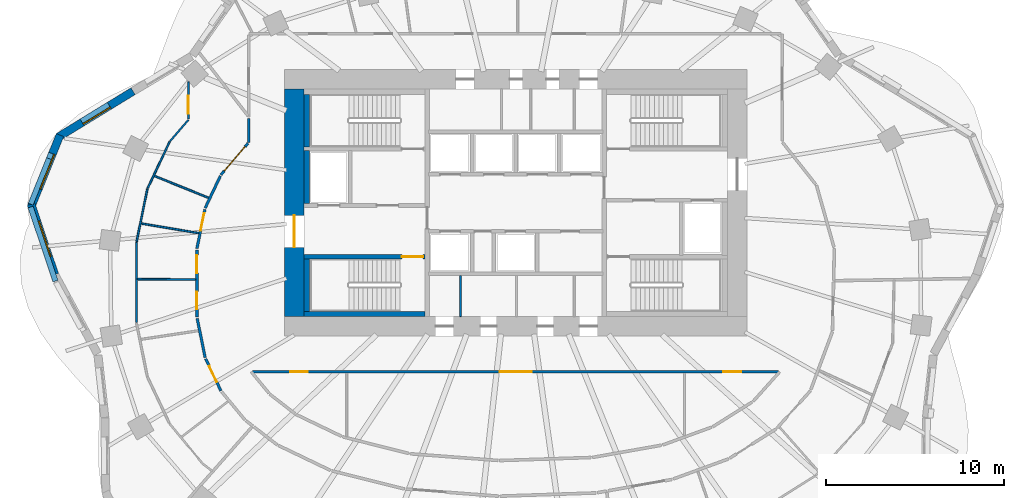
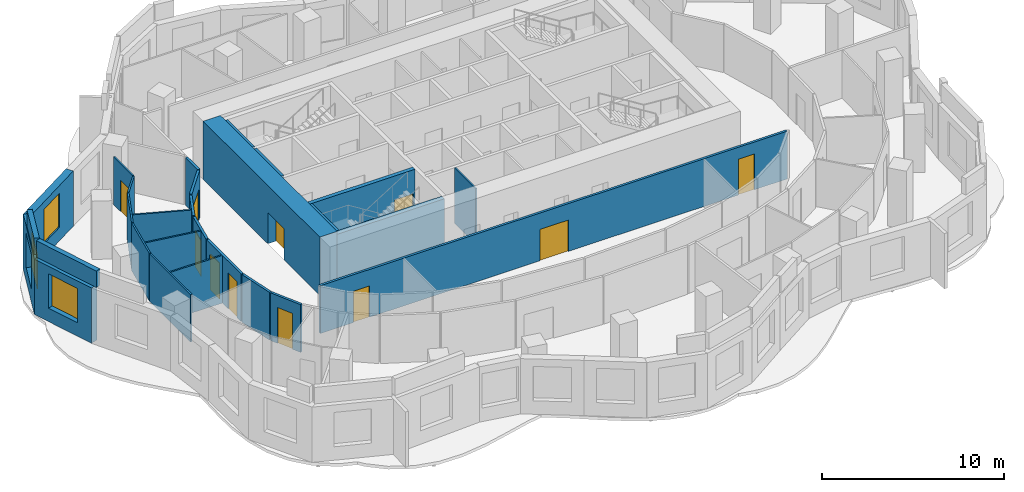
# One storey, part 4 of 10: 28 walls, 11 doors, 3 windows, 14 openings.
"""IFC4 building model written with IfcOpenShell, lengths in metres."""

from ifc_helpers import new_model, si_unit, direction, frame, frame_2d, origin, place, context, subcontext, project, spatial, rectangle, extrude, material, layer, layer_set, type_object, element, fill, save


model = new_model("IFC4")

# Units and contexts
model_context = context("Model", 3, precision=1e-05, world=origin(), true_north=direction((0.0, 1.0)))
body_context = subcontext(model_context, "Body", "Model", "MODEL_VIEW")
ifc_project = project(units=[si_unit("LENGTHUNIT", "METRE"), si_unit("AREAUNIT", "SQUARE_METRE"), si_unit("VOLUMEUNIT", "CUBIC_METRE"), si_unit("PLANEANGLEUNIT", "RADIAN"), si_unit("MASSUNIT", "GRAM", prefix="KILO")], contexts=[model_context])

# Site, building, storey
site_placement = place(None, origin())
site = spatial("IfcSite", under=ifc_project, at=site_placement, CompositionType="ELEMENT")
building_placement = place(site_placement, origin())
building = spatial("IfcBuilding", under=site, at=building_placement, Name="Rubra Terraces Tower", CompositionType="ELEMENT")
storey_placement = place(building_placement, frame((0.0, 0.0, 157.800048828125)))
storey = spatial("IfcBuildingStorey", under=building, at=storey_placement, Name="L38", CompositionType="ELEMENT", Elevation=157.800048828125)

# Wall, opening, window
ifc_material_1 = material(Name="Brick masonry red-brown", Category="masonry")
ifc_layer_1 = layer(ifc_material_1, 0.449951171875)
ifc_layer_set_1 = layer_set([ifc_layer_1], Name="Brick masonry red-brown")
wall_type_1 = type_object("IfcWallType", Name="Brick facade wall 450", PredefinedType="SOLIDWALL", material=ifc_layer_set_1)
wall_1_placement = place(storey_placement, frame((-21.509521484375, 10.77490234375, 0.0), z_axis=(0.0, 0.0, 1.0), x_axis=(-0.852642584462, -0.522494615439, 0.0)))
wall_1 = element("IfcWall", 1, at=wall_1_placement, inside=storey, type_object=wall_type_1, Name="Facade wall L38 bay 18", PredefinedType="SOLIDWALL", context=body_context, shape_type="SweptSolid", body=[
    extrude(rectangle(XDim=4.923583984375, YDim=0.449951171875, at=frame_2d((2.4619140625, 0.0))), origin(), (0.0, 0.0, 1.0), 3.699951171875),
])
opening_1_placement = place(wall_1_placement, frame((1.561767578125, 0.0, 0.89990234375)))
opening_1 = element("IfcOpeningElement", 2, at=opening_1_placement, cuts=wall_1, Name="Opening W6B", PredefinedType="OPENING", context=body_context, shape_type="SweptSolid", body=[
    extrude(rectangle(XDim=1.800048828125, YDim=2.300048828125, at=frame_2d((0.89990234375, 1.14990234375))), frame((0.0, 0.23486328125, 0.0), z_axis=(0.0, -1.0, 0.0), x_axis=(1.0, 0.0, 0.0)), (0.0, 0.0, 1.0), 0.469970703125),
])
ifc_material_2 = material(Name="Clear glass in aluminium frame", Category="aluminium")
window_type_1 = type_object("IfcWindowType", Name="Fixed deep-set window at wind fin tall storey 1800 x 2300", PartitioningType="SINGLE_PANEL", PredefinedType="WINDOW", material=ifc_material_2)
window_1_placement = place(opening_1_placement, origin())
window_1 = element("IfcWindow", 3, at=window_1_placement, inside=storey, type_object=window_type_1, Name="Window L38 bay 18", OverallHeight=2.300048828125, OverallWidth=1.800048828125, PartitioningType="SINGLE_PANEL", PredefinedType="WINDOW", context=body_context, shape_type="SweptSolid", body=[
    extrude(rectangle(XDim=1.800048828125, YDim=2.300048828125, at=frame_2d((0.89990234375, 1.14990234375))), frame((0.0, 0.135009765625, 0.0), z_axis=(0.0, -1.0, 0.0), x_axis=(1.0, 0.0, 0.0)), (0.0, 0.0, 1.0), 0.06005859375),
])
fill(opening_1, window_1)

wall_2_placement = place(storey_placement, frame((-25.620361328125, 8.307861328125, 0.0), z_axis=(0.0, 0.0, 1.0), x_axis=(-0.373899958574, -0.927469040442, 0.0)))
wall_2 = element("IfcWall", 4, at=wall_2_placement, inside=storey, type_object=wall_type_1, Name="Facade wall L38 bay 19", PredefinedType="SOLIDWALL", context=body_context, shape_type="SweptSolid", body=[
    extrude(rectangle(XDim=4.359130859375, YDim=0.449951171875, at=frame_2d((2.1796875, 0.0))), origin(), (0.0, 0.0, 1.0), 3.699951171875),
])
opening_2_placement = place(wall_2_placement, frame((1.129638671875, 0.0, 0.89990234375)))
opening_2 = element("IfcOpeningElement", 5, at=opening_2_placement, cuts=wall_2, Name="Opening W1B", PredefinedType="OPENING", context=body_context, shape_type="SweptSolid", body=[
    extrude(rectangle(XDim=2.10009765625, YDim=2.300048828125, at=frame_2d((1.050048828125, 1.14990234375))), frame((0.0, 0.23486328125, 0.0), z_axis=(0.0, -1.0, 0.0), x_axis=(1.0, 0.0, 0.0)), (0.0, 0.0, 1.0), 0.469970703125),
])
window_type_2 = type_object("IfcWindowType", Name="Fixed deep-set window tall storey 2100 x 2300", PartitioningType="SINGLE_PANEL", PredefinedType="WINDOW", material=ifc_material_2)
window_2_placement = place(opening_2_placement, origin())
window_2 = element("IfcWindow", 6, at=window_2_placement, inside=storey, type_object=window_type_2, Name="Window L38 bay 19", OverallHeight=2.300048828125, OverallWidth=2.10009765625, PartitioningType="SINGLE_PANEL", PredefinedType="WINDOW", context=body_context, shape_type="SweptSolid", body=[
    extrude(rectangle(XDim=2.10009765625, YDim=2.300048828125, at=frame_2d((1.050048828125, 1.14990234375))), frame((0.0, 0.135009765625, 0.0), z_axis=(0.0, -1.0, 0.0), x_axis=(1.0, 0.0, 0.0)), (0.0, 0.0, 1.0), 0.06005859375),
])
fill(opening_2, window_2)

wall_3_placement = place(storey_placement, frame((-27.24560546875, 4.420654296875, 0.0), z_axis=(0.0, 0.0, 1.0), x_axis=(0.318014723139, -0.94808577453, 0.0)))
wall_3 = element("IfcWall", 7, at=wall_3_placement, inside=storey, type_object=wall_type_1, Name="Facade wall L38 bay 20", PredefinedType="SOLIDWALL", context=body_context, shape_type="SweptSolid", body=[
    extrude(rectangle(XDim=4.179443359375, YDim=0.449951171875, at=frame_2d((2.08984375, 0.0))), origin(), (0.0, 0.0, 1.0), 3.699951171875),
])
opening_3_placement = place(wall_3_placement, frame((1.039794921875, 0.0, 0.89990234375)))
opening_3 = element("IfcOpeningElement", 8, at=opening_3_placement, cuts=wall_3, Name="Opening W1B", PredefinedType="OPENING", context=body_context, shape_type="SweptSolid", body=[
    extrude(rectangle(XDim=2.10009765625, YDim=2.300048828125, at=frame_2d((1.050048828125, 1.14990234375))), frame((0.0, 0.23486328125, 0.0), z_axis=(0.0, -1.0, 0.0), x_axis=(1.0, 0.0, 0.0)), (0.0, 0.0, 1.0), 0.469970703125),
])
window_3_placement = place(opening_3_placement, origin())
window_3 = element("IfcWindow", 9, at=window_3_placement, inside=storey, type_object=window_type_2, Name="Window L38 bay 20", OverallHeight=2.300048828125, OverallWidth=2.10009765625, PartitioningType="SINGLE_PANEL", PredefinedType="WINDOW", context=body_context, shape_type="SweptSolid", body=[
    extrude(rectangle(XDim=2.10009765625, YDim=2.300048828125, at=frame_2d((1.050048828125, 1.14990234375))), frame((0.0, 0.135009765625, 0.0), z_axis=(0.0, -1.0, 0.0), x_axis=(1.0, 0.0, 0.0)), (0.0, 0.0, 1.0), 0.06005859375),
])
fill(opening_3, window_3)

# Walls
ifc_layer_2 = layer(ifc_material_1, 0.300048828125)
ifc_layer_set_2 = layer_set([ifc_layer_2], Name="Brick masonry red-brown")
wall_type_2 = type_object("IfcWallType", Name="Brick parapet 300", PredefinedType="PARAPET", material=ifc_layer_set_2)
wall_4_placement = place(storey_placement, frame((-26.235107421875, 6.9833984375, 3.89990234375), z_axis=(0.0, 0.0, 1.0), x_axis=(-0.373951156773, -0.927448398752, 0.0)))
element("IfcWall", 10, at=wall_4_placement, inside=storey, type_object=wall_type_2, Name="Parapet L38 bay 19", PredefinedType="PARAPET", context=body_context, shape_type="SweptSolid", body=[
    extrude(rectangle(XDim=2.76025390625, YDim=0.300048828125, at=frame_2d((1.380126953125, 0.0))), origin(), (0.0, 0.0, 1.0), 1.10009765625),
])
wall_5_placement = place(storey_placement, frame((-27.27197265625, 4.26318359375, 3.89990234375), z_axis=(0.0, 0.0, 1.0), x_axis=(0.318062148405, -0.948069865438, 0.0)))
element("IfcWall", 11, at=wall_5_placement, inside=storey, type_object=wall_type_2, Name="Parapet L38 bay 20", PredefinedType="PARAPET", context=body_context, shape_type="SweptSolid", body=[
    extrude(rectangle(XDim=4.390625, YDim=0.300048828125, at=frame_2d((2.1953125, 0.0))), origin(), (0.0, 0.0, 1.0), 1.10009765625),
])

# Wall, opening, door
ifc_material_3 = material(Name="Concrete C60", Category="concrete")
ifc_layer_3 = layer(ifc_material_3, 1.10009765625)
ifc_layer_set_3 = layer_set([ifc_layer_3], Name="Concrete C60")
wall_type_3 = type_object("IfcWallType", Name="CORE WALL 1100 C60", PredefinedType="SHEAR", material=ifc_layer_set_3)
wall_6_placement = place(storey_placement, frame((-12.449951171875, -1.89990234375, 0.0), z_axis=(0.0, 0.0, 1.0), x_axis=(0.0, 1.0, 0.0)))
wall_6 = element("IfcWall", 12, at=wall_6_placement, inside=storey, type_object=wall_type_3, Name="CORE WALL W L38", PredefinedType="SHEAR", context=body_context, shape_type="SweptSolid", body=[
    extrude(rectangle(XDim=12.7998046875, YDim=1.10009765625, at=frame_2d((6.39990234375, 0.0))), origin(), (0.0, 0.0, 1.0), 3.89990234375),
])
opening_4_placement = place(wall_6_placement, frame((3.89990234375, 0.0, 0.0)))
opening_4 = element("IfcOpeningElement", 13, at=opening_4_placement, cuts=wall_6, Name="Opening L38.C01", PredefinedType="OPENING", context=body_context, shape_type="SweptSolid", body=[
    extrude(rectangle(XDim=1.800048828125, YDim=2.10009765625, at=frame_2d((0.89990234375, 1.050048828125))), frame((0.0, 0.56005859375, 0.0), z_axis=(0.0, -1.0, 0.0), x_axis=(1.0, 0.0, 0.0)), (0.0, 0.0, 1.0), 1.1201171875),
])
ifc_material_4 = material(Name="Painted steel", Category="steel")
door_type_1 = type_object("IfcDoorType", Name="Fire door 1800x2100 double", OperationType="NOTDEFINED", PredefinedType="DOOR", material=ifc_material_4)
door_1_placement = place(opening_4_placement, origin())
door_1 = element("IfcDoor", 14, at=door_1_placement, inside=storey, type_object=door_type_1, Name="Core entrance door FF1", OperationType="DOUBLE_DOOR_SINGLE_SWING", OverallHeight=2.10009765625, OverallWidth=1.800048828125, PredefinedType="DOOR", context=body_context, shape_type="SweptSolid", body=[
    extrude(rectangle(XDim=1.800048828125, YDim=2.10009765625, at=frame_2d((0.89990234375, 1.050048828125))), frame((0.0, 0.02490234375, 0.0), z_axis=(0.0, -1.0, 0.0), x_axis=(1.0, 0.0, 0.0)), (0.0, 0.0, 1.0), 0.050048828125),
])
fill(opening_4, door_1)

# Wall
ifc_material_5 = material(Name="Plasterboard on steel stud, mineral wool infill", Category="steel")
ifc_layer_4 = layer(ifc_material_5, 0.14990234375)
ifc_layer_set_4 = layer_set([ifc_layer_4], Name="Plasterboard on steel stud, mineral wool infill")
wall_type_4 = type_object("IfcWallType", Name="CORRIDOR PARTITION 150", PredefinedType="PARTITIONING", material=ifc_layer_set_4)
wall_7_placement = place(storey_placement, frame((-15.0, 9.25341796875, 0.0), z_axis=(0.0, 0.0, 1.0), x_axis=(0.0, -1.0, 0.0)))
element("IfcWall", 15, at=wall_7_placement, inside=storey, type_object=wall_type_4, Name="PARTITION", PredefinedType="PARTITIONING", context=body_context, shape_type="SweptSolid", body=[
    extrude(rectangle(XDim=1.34912109375, YDim=0.14990234375, at=frame_2d((0.674560546875, 0.0))), origin(), (0.0, 0.0, 1.0), 3.197998046875),
])

# Wall, opening, door
wall_8_placement = place(storey_placement, frame((-15.048828125, 7.847412109375, 0.0), z_axis=(0.0, 0.0, 1.0), x_axis=(-0.651264357687, -0.758850931611, 0.0)))
wall_8 = element("IfcWall", 16, at=wall_8_placement, inside=storey, type_object=wall_type_4, Name="PARTITION", PredefinedType="PARTITIONING", context=body_context, shape_type="SweptSolid", body=[
    extrude(rectangle(XDim=2.33740234375, YDim=0.14990234375, at=frame_2d((1.168701171875, 0.0))), origin(), (0.0, 0.0, 1.0), 3.197998046875),
])
opening_5_placement = place(wall_8_placement, frame((0.25, 0.0, 0.0)))
opening_5 = element("IfcOpeningElement", 17, at=opening_5_placement, cuts=wall_8, Name="Opening 38-105", PredefinedType="OPENING", context=body_context, shape_type="SweptSolid", body=[
    extrude(rectangle(XDim=1.800048828125, YDim=2.10009765625, at=frame_2d((0.89990234375, 1.050048828125))), frame((0.0, 0.0849609375, 0.0), z_axis=(0.0, -1.0, 0.0), x_axis=(1.0, 0.0, 0.0)), (0.0, 0.0, 1.0), 0.169921875),
])
ifc_material_6 = material(Name="Painted timber door leaf, double", Category="wood")
door_type_2 = type_object("IfcDoorType", Name="ROOM DOUBLE DOOR 1800 X 2100", OperationType="DOUBLE_DOOR_SINGLE_SWING", PredefinedType="DOOR", material=ifc_material_6)
door_2_placement = place(opening_5_placement, origin())
door_2 = element("IfcDoor", 18, at=door_2_placement, inside=storey, type_object=door_type_2, Name="DOOR 38-105", OperationType="DOUBLE_DOOR_SINGLE_SWING", OverallHeight=2.10009765625, OverallWidth=1.800048828125, PredefinedType="DOOR", context=body_context, shape_type="SweptSolid", body=[
    extrude(rectangle(XDim=1.800048828125, YDim=2.10009765625, at=frame_2d((0.89990234375, 1.050048828125))), frame((0.0, 0.02490234375, 0.0), z_axis=(0.0, -1.0, 0.0), x_axis=(1.0, 0.0, 0.0)), (0.0, 0.0, 1.0), 0.050048828125),
])
fill(opening_5, door_2)

# Wall
wall_9_placement = place(storey_placement, frame((-16.603271484375, 6.006103515625, 0.0), z_axis=(0.0, 0.0, 1.0), x_axis=(-0.427839289523, -0.903854823708, 0.0)))
element("IfcWall", 19, at=wall_9_placement, inside=storey, type_object=wall_type_4, Name="PARTITION", PredefinedType="PARTITIONING", context=body_context, shape_type="SweptSolid", body=[
    extrude(rectangle(XDim=1.99658203125, YDim=0.14990234375, at=frame_2d((0.998291015625, 0.0))), origin(), (0.0, 0.0, 1.0), 3.197998046875),
])

# Wall, opening, door
wall_10_placement = place(storey_placement, frame((-17.472412109375, 4.1279296875, 0.0), z_axis=(0.0, 0.0, 1.0), x_axis=(-0.199502025364, -0.979897413955, 0.0)))
wall_10 = element("IfcWall", 20, at=wall_10_placement, inside=storey, type_object=wall_type_4, Name="PARTITION", PredefinedType="PARTITIONING", context=body_context, shape_type="SweptSolid", body=[
    extrude(rectangle(XDim=2.24560546875, YDim=0.14990234375, at=frame_2d((1.122802734375, 0.0))), origin(), (0.0, 0.0, 1.0), 3.197998046875),
])
opening_6_placement = place(wall_10_placement, frame((0.22509765625, 0.0, 0.0)))
opening_6 = element("IfcOpeningElement", 21, at=opening_6_placement, cuts=wall_10, Name="Opening 38-107", PredefinedType="OPENING", context=body_context, shape_type="SweptSolid", body=[
    extrude(rectangle(XDim=1.0, YDim=2.39990234375, at=frame_2d((0.5, 1.199951171875))), frame((0.0, 0.0849609375, 0.0), z_axis=(0.0, -1.0, 0.0), x_axis=(1.0, 0.0, 0.0)), (0.0, 0.0, 1.0), 0.169921875),
])
ifc_material_7 = material(Name="Glazed aluminium meeting door leaf", Category="aluminium")
door_type_3 = type_object("IfcDoorType", Name="MEETING ROOM GLAZED DOOR 1000 X 2400", OperationType="SINGLE_SWING_LEFT", PredefinedType="DOOR", material=ifc_material_7)
door_3_placement = place(opening_6_placement, origin())
door_3 = element("IfcDoor", 22, at=door_3_placement, inside=storey, type_object=door_type_3, Name="DOOR 38-107", OperationType="SINGLE_SWING_RIGHT", OverallHeight=2.39990234375, OverallWidth=1.0, PredefinedType="DOOR", context=body_context, shape_type="SweptSolid", body=[
    extrude(rectangle(XDim=1.0, YDim=2.39990234375, at=frame_2d((0.5, 1.199951171875))), frame((0.0, 0.02490234375, 0.0), z_axis=(0.0, -1.0, 0.0), x_axis=(1.0, 0.0, 0.0)), (0.0, 0.0, 1.0), 0.050048828125),
])
fill(opening_6, door_3)

# Wall, openings, doors
wall_11_placement = place(storey_placement, frame((-17.92041015625, 1.8525390625, 0.0), z_axis=(0.0, 0.0, 1.0), x_axis=(0.0, -1.0, 0.0)))
wall_11 = element("IfcWall", 23, at=wall_11_placement, inside=storey, type_object=wall_type_4, Name="PARTITION", PredefinedType="PARTITIONING", context=body_context, shape_type="SweptSolid", body=[
    extrude(rectangle(XDim=3.780029296875, YDim=0.14990234375, at=frame_2d((1.89013671875, 0.0))), origin(), (0.0, 0.0, 1.0), 3.197998046875),
])
opening_7_placement = place(wall_11_placement, frame((0.300048828125, 0.0, 0.0)))
opening_7 = element("IfcOpeningElement", 24, at=opening_7_placement, cuts=wall_11, Name="Opening 38-108", PredefinedType="OPENING", context=body_context, shape_type="SweptSolid", body=[
    extrude(rectangle(XDim=1.0, YDim=2.39990234375, at=frame_2d((0.5, 1.199951171875))), frame((0.0, 0.0849609375, 0.0), z_axis=(0.0, -1.0, 0.0), x_axis=(1.0, 0.0, 0.0)), (0.0, 0.0, 1.0), 0.169921875),
])
opening_8_placement = place(wall_11_placement, frame((2.35009765625, 0.0, 0.0)))
opening_8 = element("IfcOpeningElement", 25, at=opening_8_placement, cuts=wall_11, Name="Opening 38-109", PredefinedType="OPENING", context=body_context, shape_type="SweptSolid", body=[
    extrude(rectangle(XDim=1.0, YDim=2.39990234375, at=frame_2d((0.5, 1.199951171875))), frame((0.0, 0.0849609375, 0.0), z_axis=(0.0, -1.0, 0.0), x_axis=(1.0, 0.0, 0.0)), (0.0, 0.0, 1.0), 0.169921875),
])
door_4_placement = place(opening_7_placement, origin())
door_4 = element("IfcDoor", 26, at=door_4_placement, inside=storey, type_object=door_type_3, Name="DOOR 38-108", OperationType="SINGLE_SWING_RIGHT", OverallHeight=2.39990234375, OverallWidth=1.0, PredefinedType="DOOR", context=body_context, shape_type="SweptSolid", body=[
    extrude(rectangle(XDim=1.0, YDim=2.39990234375, at=frame_2d((0.5, 1.199951171875))), frame((0.0, 0.02490234375, 0.0), z_axis=(0.0, -1.0, 0.0), x_axis=(1.0, 0.0, 0.0)), (0.0, 0.0, 1.0), 0.050048828125),
])
fill(opening_7, door_4)
door_5_placement = place(opening_8_placement, origin())
door_5 = element("IfcDoor", 27, at=door_5_placement, inside=storey, type_object=door_type_3, Name="DOOR 38-109", OperationType="SINGLE_SWING_RIGHT", OverallHeight=2.39990234375, OverallWidth=1.0, PredefinedType="DOOR", context=body_context, shape_type="SweptSolid", body=[
    extrude(rectangle(XDim=1.0, YDim=2.39990234375, at=frame_2d((0.5, 1.199951171875))), frame((0.0, 0.02490234375, 0.0), z_axis=(0.0, -1.0, 0.0), x_axis=(1.0, 0.0, 0.0)), (0.0, 0.0, 1.0), 0.050048828125),
])
fill(opening_8, door_5)

# Wall
wall_12_placement = place(storey_placement, frame((-17.905517578125, -2.0009765625, 0.0), z_axis=(0.0, 0.0, 1.0), x_axis=(0.199502025364, -0.979897413955, 0.0)))
element("IfcWall", 28, at=wall_12_placement, inside=storey, type_object=wall_type_4, Name="PARTITION", PredefinedType="PARTITIONING", context=body_context, shape_type="SweptSolid", body=[
    extrude(rectangle(XDim=2.24560546875, YDim=0.14990234375, at=frame_2d((1.122802734375, 0.0))), origin(), (0.0, 0.0, 1.0), 3.197998046875),
])

# Wall, opening, door
wall_13_placement = place(storey_placement, frame((-17.42529296875, -4.269287109375, 0.0), z_axis=(0.0, 0.0, 1.0), x_axis=(0.427886578366, -0.90383243804, 0.0)))
wall_13 = element("IfcWall", 29, at=wall_13_placement, inside=storey, type_object=wall_type_4, Name="PARTITION", PredefinedType="PARTITIONING", context=body_context, shape_type="SweptSolid", body=[
    extrude(rectangle(XDim=1.996337890625, YDim=0.14990234375, at=frame_2d((0.998046875, 0.0))), origin(), (0.0, 0.0, 1.0), 3.197998046875),
])
opening_9_placement = place(wall_13_placement, frame((0.449951171875, 0.0, 0.0)))
opening_9 = element("IfcOpeningElement", 30, at=opening_9_placement, cuts=wall_13, Name="Opening 38-110", PredefinedType="OPENING", context=body_context, shape_type="SweptSolid", body=[
    extrude(rectangle(XDim=1.0, YDim=2.39990234375, at=frame_2d((0.5, 1.199951171875))), frame((0.0, 0.0849609375, 0.0), z_axis=(0.0, -1.0, 0.0), x_axis=(1.0, 0.0, 0.0)), (0.0, 0.0, 1.0), 0.169921875),
])
door_6_placement = place(opening_9_placement, origin())
door_6 = element("IfcDoor", 31, at=door_6_placement, inside=storey, type_object=door_type_3, Name="DOOR 38-110", OperationType="SINGLE_SWING_RIGHT", OverallHeight=2.39990234375, OverallWidth=1.0, PredefinedType="DOOR", context=body_context, shape_type="SweptSolid", body=[
    extrude(rectangle(XDim=1.0, YDim=2.39990234375, at=frame_2d((0.5, 1.199951171875))), frame((0.0, 0.02490234375, 0.0), z_axis=(0.0, -1.0, 0.0), x_axis=(1.0, 0.0, 0.0)), (0.0, 0.0, 1.0), 0.050048828125),
])
fill(opening_9, door_6)

# Wall, openings, doors
wall_14_placement = place(storey_placement, frame((-14.7890625, -5.0, 0.0), z_axis=(0.0, 0.0, 1.0), x_axis=(1.0, 0.0, 0.0)))
wall_14 = element("IfcWall", 32, at=wall_14_placement, inside=storey, type_object=wall_type_4, Name="PARTITION", PredefinedType="PARTITIONING", context=body_context, shape_type="SweptSolid", body=[
    extrude(rectangle(XDim=29.56201171875, YDim=0.14990234375, at=frame_2d((14.781005859375, 0.0))), origin(), (0.0, 0.0, 1.0), 3.197998046875),
])
opening_10_placement = place(wall_14_placement, frame((2.10693359375, 0.0, 0.0)))
opening_10 = element("IfcOpeningElement", 33, at=opening_10_placement, cuts=wall_14, Name="Opening 38-117", PredefinedType="OPENING", context=body_context, shape_type="SweptSolid", body=[
    extrude(rectangle(XDim=1.0, YDim=2.10009765625, at=frame_2d((0.5, 1.050048828125))), frame((0.0, 0.0849609375, 0.0), z_axis=(0.0, -1.0, 0.0), x_axis=(1.0, 0.0, 0.0)), (0.0, 0.0, 1.0), 0.169921875),
])
opening_11_placement = place(wall_14_placement, frame((13.888916015625, 0.0, 0.0)))
opening_11 = element("IfcOpeningElement", 34, at=opening_11_placement, cuts=wall_14, Name="Opening 38-118", PredefinedType="OPENING", context=body_context, shape_type="SweptSolid", body=[
    extrude(rectangle(XDim=1.800048828125, YDim=2.10009765625, at=frame_2d((0.89990234375, 1.050048828125))), frame((0.0, 0.0849609375, 0.0), z_axis=(0.0, -1.0, 0.0), x_axis=(1.0, 0.0, 0.0)), (0.0, 0.0, 1.0), 0.169921875),
])
opening_12_placement = place(wall_14_placement, frame((26.462890625, 0.0, 0.0)))
opening_12 = element("IfcOpeningElement", 35, at=opening_12_placement, cuts=wall_14, Name="Opening 38-119", PredefinedType="OPENING", context=body_context, shape_type="SweptSolid", body=[
    extrude(rectangle(XDim=1.0, YDim=2.39990234375, at=frame_2d((0.5, 1.199951171875))), frame((0.0, 0.0849609375, 0.0), z_axis=(0.0, -1.0, 0.0), x_axis=(1.0, 0.0, 0.0)), (0.0, 0.0, 1.0), 0.169921875),
])
door_7_placement = place(opening_12_placement, origin())
door_7 = element("IfcDoor", 36, at=door_7_placement, inside=storey, type_object=door_type_3, Name="DOOR 38-119", OperationType="SINGLE_SWING_RIGHT", OverallHeight=2.39990234375, OverallWidth=1.0, PredefinedType="DOOR", context=body_context, shape_type="SweptSolid", body=[
    extrude(rectangle(XDim=1.0, YDim=2.39990234375, at=frame_2d((0.5, 1.199951171875))), frame((0.0, 0.02490234375, 0.0), z_axis=(0.0, -1.0, 0.0), x_axis=(1.0, 0.0, 0.0)), (0.0, 0.0, 1.0), 0.050048828125),
])
fill(opening_12, door_7)
ifc_material_8 = material(Name="Painted timber door leaf", Category="wood")
door_type_4 = type_object("IfcDoorType", Name="ROOM DOOR 1000 X 2100", OperationType="SINGLE_SWING_LEFT", PredefinedType="DOOR", material=ifc_material_8)
door_8_placement = place(opening_10_placement, origin())
door_8 = element("IfcDoor", 37, at=door_8_placement, inside=storey, type_object=door_type_4, Name="DOOR 38-117", OperationType="SINGLE_SWING_RIGHT", OverallHeight=2.10009765625, OverallWidth=1.0, PredefinedType="DOOR", context=body_context, shape_type="SweptSolid", body=[
    extrude(rectangle(XDim=1.0, YDim=2.10009765625, at=frame_2d((0.5, 1.050048828125))), frame((0.0, 0.02490234375, 0.0), z_axis=(0.0, -1.0, 0.0), x_axis=(1.0, 0.0, 0.0)), (0.0, 0.0, 1.0), 0.050048828125),
])
fill(opening_10, door_8)
door_9_placement = place(opening_11_placement, origin())
door_9 = element("IfcDoor", 38, at=door_9_placement, inside=storey, type_object=door_type_2, Name="DOOR 38-118", OperationType="DOUBLE_DOOR_SINGLE_SWING", OverallHeight=2.10009765625, OverallWidth=1.800048828125, PredefinedType="DOOR", context=body_context, shape_type="SweptSolid", body=[
    extrude(rectangle(XDim=1.800048828125, YDim=2.10009765625, at=frame_2d((0.89990234375, 1.050048828125))), frame((0.0, 0.02490234375, 0.0), z_axis=(0.0, -1.0, 0.0), x_axis=(1.0, 0.0, 0.0)), (0.0, 0.0, 1.0), 0.050048828125),
])
fill(opening_11, door_9)

# Walls
ifc_material_9 = material(Name="Concrete C40", Category="concrete")
ifc_layer_5 = layer(ifc_material_9, 0.300048828125)
ifc_layer_set_5 = layer_set([ifc_layer_5], Name="Concrete C40")
wall_type_5 = type_object("IfcWallType", Name="Core lining wall 300 concrete", PredefinedType="SOLIDWALL", material=ifc_layer_set_5)
wall_15_placement = place(storey_placement, frame((-11.89990234375, -1.75, 0.0), z_axis=(0.0, 0.0, 1.0), x_axis=(1.0, 0.0, 0.0)))
element("IfcWall", 39, at=wall_15_placement, inside=storey, type_object=wall_type_5, Name="CORE LINING WALL L38", PredefinedType="SOLIDWALL", context=body_context, shape_type="SweptSolid", body=[
    extrude(rectangle(XDim=6.7998046875, YDim=0.300048828125, at=frame_2d((3.39990234375, 0.0))), origin(), (0.0, 0.0, 1.0), 3.699951171875),
])
wall_16_placement = place(storey_placement, frame((-11.75, -1.60009765625, 0.0), z_axis=(0.0, 0.0, 1.0), x_axis=(0.0, 1.0, 0.0)))
element("IfcWall", 40, at=wall_16_placement, inside=storey, type_object=wall_type_5, Name="CORE LINING WALL L38", PredefinedType="SOLIDWALL", context=body_context, shape_type="SweptSolid", body=[
    extrude(rectangle(XDim=2.9501953125, YDim=0.300048828125, at=frame_2d((1.47509765625, 0.0))), origin(), (0.0, 0.0, 1.0), 3.699951171875),
])
wall_17_placement = place(storey_placement, frame((-11.75, 4.449951171875, 0.0), z_axis=(0.0, 0.0, 1.0), x_axis=(0.0, 1.0, 0.0)))
element("IfcWall", 41, at=wall_17_placement, inside=storey, type_object=wall_type_5, Name="CORE LINING WALL L38", PredefinedType="SOLIDWALL", context=body_context, shape_type="SweptSolid", body=[
    extrude(rectangle(XDim=3.0, YDim=0.300048828125, at=frame_2d((1.5, 0.0))), origin(), (0.0, 0.0, 1.0), 3.699951171875),
])
wall_18_placement = place(storey_placement, frame((-11.75, 7.64990234375, 0.0), z_axis=(0.0, 0.0, 1.0), x_axis=(0.0, 1.0, 0.0)))
element("IfcWall", 42, at=wall_18_placement, inside=storey, type_object=wall_type_5, Name="CORE LINING WALL L38", PredefinedType="SOLIDWALL", context=body_context, shape_type="SweptSolid", body=[
    extrude(rectangle(XDim=2.9501953125, YDim=0.300048828125, at=frame_2d((1.47509765625, 0.0))), origin(), (0.0, 0.0, 1.0), 3.699951171875),
])
ifc_material_10 = material(Name="Plasterboard on steel stud", Category="steel")
ifc_layer_6 = layer(ifc_material_10, 0.10009765625)
ifc_layer_set_6 = layer_set([ifc_layer_6], Name="Plasterboard on steel stud")
wall_type_6 = type_object("IfcWallType", Name="ROOM PARTITION 100", PredefinedType="PARTITIONING", material=ifc_layer_set_6)
wall_19_placement = place(storey_placement, frame((-21.3203125, -2.22021484375, 0.0), z_axis=(0.0, 0.0, 1.0), x_axis=(0.0, 1.0, 0.0)))
element("IfcWall", 43, at=wall_19_placement, inside=storey, type_object=wall_type_6, Name="PARTITION", PredefinedType="PARTITIONING", context=body_context, shape_type="SweptSolid", body=[
    extrude(rectangle(XDim=4.490234375, YDim=0.10009765625, at=frame_2d((2.2451171875, 0.0))), origin(), (0.0, 0.0, 1.0), 3.183837890625),
])
wall_20_placement = place(storey_placement, frame((-21.310302734375, 2.319091796875, 0.0), z_axis=(0.0, 0.0, 1.0), x_axis=(0.199405031181, 0.979917156468, 0.0)))
element("IfcWall", 44, at=wall_20_placement, inside=storey, type_object=wall_type_6, Name="PARTITION", PredefinedType="PARTITIONING", context=body_context, shape_type="SweptSolid", body=[
    extrude(rectangle(XDim=3.025390625, YDim=0.10009765625, at=frame_2d((1.5126953125, 0.0))), origin(), (0.0, 0.0, 1.0), 3.183837890625),
])
wall_21_placement = place(storey_placement, frame((-20.685546875, 5.328857421875, 0.0), z_axis=(0.0, 0.0, 1.0), x_axis=(0.427853981115, 0.903847869303, 0.0)))
element("IfcWall", 45, at=wall_21_placement, inside=storey, type_object=wall_type_6, Name="PARTITION", PredefinedType="PARTITIONING", context=body_context, shape_type="SweptSolid", body=[
    extrude(rectangle(XDim=2.890625, YDim=0.10009765625, at=frame_2d((1.4453125, 0.0))), origin(), (0.0, 0.0, 1.0), 3.183837890625),
])
wall_22_placement = place(storey_placement, frame((-19.416015625, 7.9794921875, 0.0), z_axis=(0.0, 0.0, 1.0), x_axis=(0.651306716239, 0.758814576416, 0.0)))
element("IfcWall", 46, at=wall_22_placement, inside=storey, type_object=wall_type_6, Name="PARTITION", PredefinedType="PARTITIONING", context=body_context, shape_type="SweptSolid", body=[
    extrude(rectangle(XDim=1.56005859375, YDim=0.10009765625, at=frame_2d((0.780029296875, 0.0))), origin(), (0.0, 0.0, 1.0), 3.183837890625),
])

# Wall, opening, door
wall_23_placement = place(storey_placement, frame((-18.39990234375, 9.21337890625, 0.0), z_axis=(0.0, 0.0, 1.0), x_axis=(0.0, 1.0, 0.0)))
wall_23 = element("IfcWall", 47, at=wall_23_placement, inside=storey, type_object=wall_type_6, Name="PARTITION", PredefinedType="PARTITIONING", context=body_context, shape_type="SweptSolid", body=[
    extrude(rectangle(XDim=2.084716796875, YDim=0.10009765625, at=frame_2d((1.04248046875, 0.0))), origin(), (0.0, 0.0, 1.0), 3.183837890625),
])
opening_13_placement = place(wall_23_placement, frame((0.300048828125, 0.0, 0.0)))
opening_13 = element("IfcOpeningElement", 48, at=opening_13_placement, cuts=wall_23, Name="Opening 38-106", PredefinedType="OPENING", context=body_context, shape_type="SweptSolid", body=[
    extrude(rectangle(XDim=1.0, YDim=2.10009765625, at=frame_2d((0.5, 1.050048828125))), frame((0.0, 0.06005859375, 0.0), z_axis=(0.0, -1.0, 0.0), x_axis=(1.0, 0.0, 0.0)), (0.0, 0.0, 1.0), 0.1201171875),
])
door_10_placement = place(opening_13_placement, origin())
door_10 = element("IfcDoor", 49, at=door_10_placement, inside=storey, type_object=door_type_4, Name="DOOR 38-106", OperationType="SINGLE_SWING_LEFT", OverallHeight=2.10009765625, OverallWidth=1.0, PredefinedType="DOOR", context=body_context, shape_type="SweptSolid", body=[
    extrude(rectangle(XDim=1.0, YDim=2.10009765625, at=frame_2d((0.5, 1.050048828125))), frame((0.0, 0.02490234375, 0.0), z_axis=(0.0, -1.0, 0.0), x_axis=(1.0, 0.0, 0.0)), (0.0, 0.0, 1.0), 0.050048828125),
])
fill(opening_13, door_10)

# Walls
wall_24_placement = place(storey_placement, frame((-17.265380859375, 4.78271484375, 0.0), z_axis=(0.0, 0.0, 1.0), x_axis=(-0.927601659582, 0.373570824798, 0.0)))
element("IfcWall", 50, at=wall_24_placement, inside=storey, type_object=wall_type_6, Name="PARTITION", PredefinedType="PARTITIONING", context=body_context, shape_type="SweptSolid", body=[
    extrude(rectangle(XDim=3.28076171875, YDim=0.10009765625, at=frame_2d((1.640380859375, 0.0))), origin(), (0.0, 0.0, 1.0), 3.183837890625),
])
wall_25_placement = place(storey_placement, frame((-17.820556640625, 2.7939453125, 0.0), z_axis=(0.0, 0.0, 1.0), x_axis=(-0.986139031767, 0.16592109578, 0.0)))
element("IfcWall", 51, at=wall_25_placement, inside=storey, type_object=wall_type_6, Name="PARTITION", PredefinedType="PARTITIONING", context=body_context, shape_type="SweptSolid", body=[
    extrude(rectangle(XDim=3.27685546875, YDim=0.10009765625, at=frame_2d((1.638427734375, 0.0))), origin(), (0.0, 0.0, 1.0), 3.183837890625),
])
wall_26_placement = place(storey_placement, frame((-17.995361328125, 0.18212890625, 0.0), z_axis=(0.0, 0.0, 1.0), x_axis=(-0.999962616473, 0.008646713642, 0.0)))
element("IfcWall", 52, at=wall_26_placement, inside=storey, type_object=wall_type_6, Name="PARTITION", PredefinedType="PARTITIONING", context=body_context, shape_type="SweptSolid", body=[
    extrude(rectangle(XDim=3.275390625, YDim=0.10009765625, at=frame_2d((1.6376953125, 0.0))), origin(), (0.0, 0.0, 1.0), 3.183837890625),
])
ifc_material_11 = material(Name="Blockwork", Category="masonry")
ifc_layer_7 = layer(ifc_material_11, 0.10009765625)
ifc_layer_set_7 = layer_set([ifc_layer_7], Name="Blockwork")
wall_type_7 = type_object("IfcWallType", Name="Service partition 100 blockwork", PredefinedType="PARTITIONING", material=ifc_layer_set_7)
wall_27_placement = place(storey_placement, frame((-3.10009765625, -1.89990234375, 0.0), z_axis=(0.0, 0.0, 1.0), x_axis=(0.0, 1.0, 0.0)))
element("IfcWall", 53, at=wall_27_placement, inside=storey, type_object=wall_type_7, Name="SERVICE ROOM PARTITION L38", PredefinedType="PARTITIONING", context=body_context, shape_type="SweptSolid", body=[
    extrude(rectangle(XDim=2.2998046875, YDim=0.10009765625, at=frame_2d((1.14990234375, 0.0))), origin(), (0.0, 0.0, 1.0), 3.699951171875),
])

# Wall, opening, door
ifc_layer_8 = layer(ifc_material_9, 0.25)
ifc_layer_set_8 = layer_set([ifc_layer_8], Name="Concrete C40")
wall_type_8 = type_object("IfcWallType", Name="Stair enclosure wall 250 concrete", PredefinedType="SOLIDWALL", material=ifc_layer_set_8)
wall_28_placement = place(storey_placement, frame((-11.89990234375, 1.47509765625, 0.0), z_axis=(0.0, 0.0, 1.0), x_axis=(1.0, 0.0, 0.0)))
wall_28 = element("IfcWall", 54, at=wall_28_placement, inside=storey, type_object=wall_type_8, Name="STAIR WALL L38", PredefinedType="SOLIDWALL", context=body_context, shape_type="SweptSolid", body=[
    extrude(rectangle(XDim=6.7998046875, YDim=0.25, at=frame_2d((3.39990234375, 0.0))), origin(), (0.0, 0.0, 1.0), 3.699951171875),
])
opening_14_placement = place(wall_28_placement, frame((5.5, 0.0, 0.0)))
opening_14 = element("IfcOpeningElement", 55, at=opening_14_placement, cuts=wall_28, Name="Opening L38.C07", PredefinedType="OPENING", context=body_context, shape_type="SweptSolid", body=[
    extrude(rectangle(XDim=1.199951171875, YDim=2.10009765625, at=frame_2d((0.60009765625, 1.050048828125))), frame((0.0, 0.135009765625, 0.0), z_axis=(0.0, -1.0, 0.0), x_axis=(1.0, 0.0, 0.0)), (0.0, 0.0, 1.0), 0.27001953125),
])
door_type_5 = type_object("IfcDoorType", Name="Fire door 1200x2100 single", OperationType="NOTDEFINED", PredefinedType="DOOR", material=ifc_material_4)
door_11_placement = place(opening_14_placement, origin())
door_11 = element("IfcDoor", 56, at=door_11_placement, inside=storey, type_object=door_type_5, Name="Stair door S1", OperationType="SINGLE_SWING_LEFT", OverallHeight=2.10009765625, OverallWidth=1.199951171875, PredefinedType="DOOR", context=body_context, shape_type="SweptSolid", body=[
    extrude(rectangle(XDim=1.199951171875, YDim=2.10009765625, at=frame_2d((0.60009765625, 1.050048828125))), frame((0.0, 0.02490234375, 0.0), z_axis=(0.0, -1.0, 0.0), x_axis=(1.0, 0.0, 0.0)), (0.0, 0.0, 1.0), 0.050048828125),
])
fill(opening_14, door_11)

save(model, "model.ifc")
